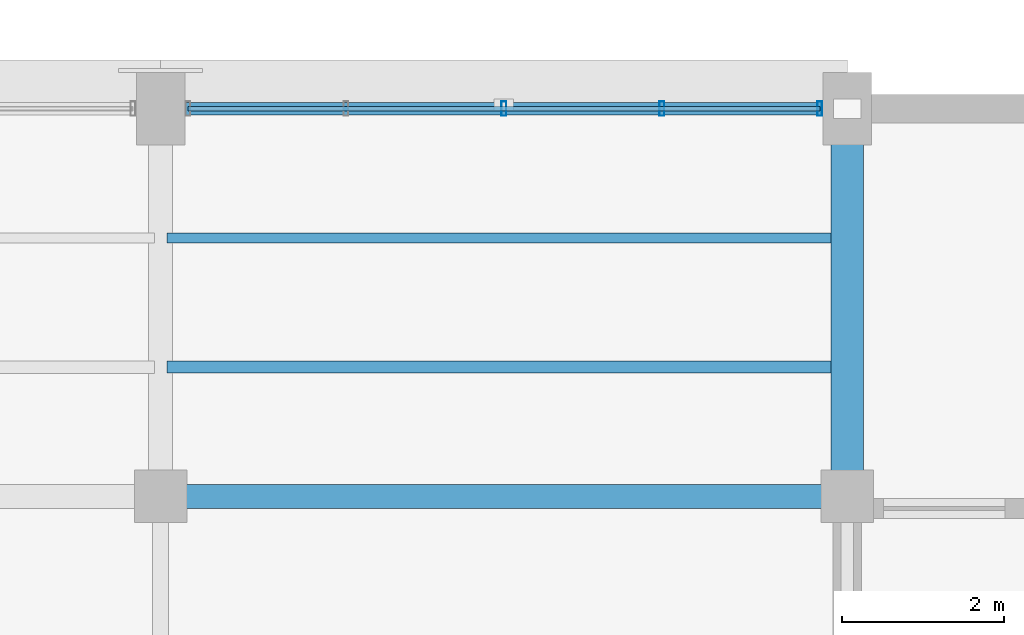
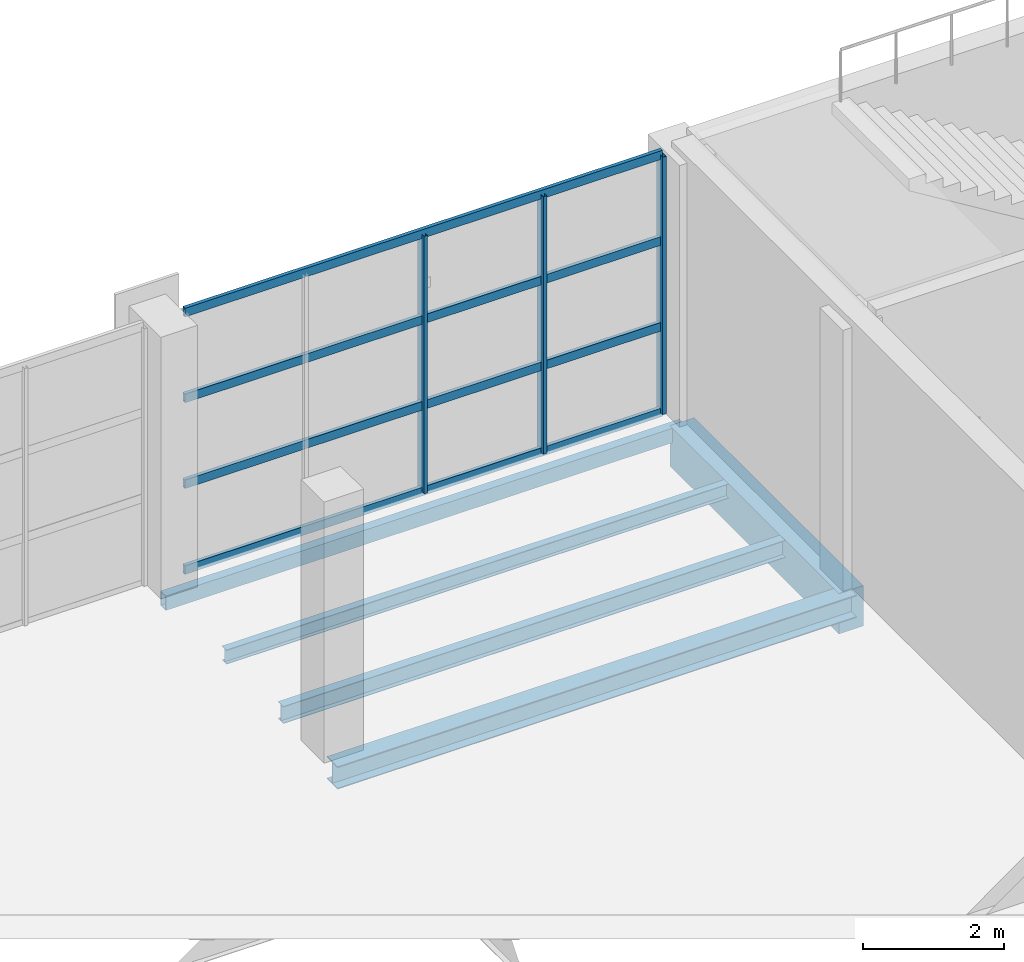
# One storey, part 41 of 86: 7 members, 5 beams, 1 element without a shape of its own.
"""IFC4 building model written with IfcOpenShell, lengths in metres."""

import ifcopenshell
import ifcopenshell.guid

model = None  # the IFC model being written
_history = None  # IfcOwnerHistory: only IFC2X3 demands one
_inside = {}  # id of a spatial element -> (the spatial element, [elements in it])
_under = {}  # id of a project, library or spatial element -> (it, [spatial elements below it])
_declared = {}  # id of a project -> (the project, [libraries it declares])
_typed = {}  # id of a type object -> (the type object, [elements of that type])
_made_of = {}  # id of a material, layer set ... -> (it, [elements and type objects made of it])


def new_model(schema):
    """Start an empty IFC model of exactly this schema.

    Asked for "IFC4X3", IfcOpenShell would pick the latest addendum, in which some entities
    have other attributes; the version numbers below select the first issue.
    IFC2X3 requires an IfcOwnerHistory on every rooted entity: one is made here for all.
    """
    global model, _history
    if schema == "IFC4X3":
        model = ifcopenshell.file(schema_version=(4, 3, 0, 0))
    else:
        model = ifcopenshell.file(schema=schema)
    _inside.clear()
    _under.clear()
    _declared.clear()
    _typed.clear()
    _made_of.clear()
    _history = None
    if model.schema == "IFC2X3":
        org = make("IfcOrganization", Name="unknown")
        user = make(
            "IfcPersonAndOrganization",
            ThePerson=make("IfcPerson", FamilyName="unknown"),
            TheOrganization=org,
        )
        app = make(
            "IfcApplication",
            ApplicationDeveloper=org,
            Version="unknown",
            ApplicationFullName="unknown",
            ApplicationIdentifier="unknown",
        )
        _history = make(
            "IfcOwnerHistory",
            OwningUser=user,
            OwningApplication=app,
            ChangeAction="ADDED",
            CreationDate=0,
        )
    return model


def make(cls, **values):
    """One entity of the class cls with the attributes given. An attribute that is None is left unset."""
    return model.create_entity(
        cls, **{name: value for name, value in values.items() if value is not None}
    )


def rooted(cls, **values):
    """An entity with a GlobalId (a new one), such as an element, a storey or a relation."""
    return make(cls, GlobalId=ifcopenshell.guid.new(), OwnerHistory=_history, **values)


def si_unit(unit_type, name, prefix=None):
    """IfcSIUnit, for example si_unit("LENGTHUNIT", "METRE", prefix="MILLI")."""
    return make("IfcSIUnit", UnitType=unit_type, Prefix=prefix, Name=name)


def assignment(units):
    """IfcUnitAssignment: the units of a project."""
    return None if units is None else make("IfcUnitAssignment", Units=units)


def point(xyz):
    """IfcCartesianPoint."""
    return None if xyz is None else make("IfcCartesianPoint", Coordinates=xyz)


def direction(xyz):
    """IfcDirection."""
    return None if xyz is None else make("IfcDirection", DirectionRatios=xyz)


def frame(location, z_axis=None, x_axis=None):
    """IfcAxis2Placement3D, a coordinate frame: its origin and axes. An axis left out is left unset."""
    return make(
        "IfcAxis2Placement3D",
        Location=point(location),
        Axis=direction(z_axis),
        RefDirection=direction(x_axis),
    )


def frame_2d(location, x_axis=None):
    """IfcAxis2Placement2D, a coordinate frame in the plane: its origin and x axis."""
    return make(
        "IfcAxis2Placement2D", Location=point(location), RefDirection=direction(x_axis)
    )


def origin():
    """The frame at (0, 0, 0) with its axes left unset."""
    return frame((0.0, 0.0, 0.0))


def origin_2d():
    """The frame at (0, 0) in the plane with its x axis left unset."""
    return frame_2d((0.0, 0.0))


def place(relative_to, where):
    """IfcLocalPlacement: puts the frame where relative to a parent placement (None: the world)."""
    return make(
        "IfcLocalPlacement", PlacementRelTo=relative_to, RelativePlacement=where
    )


def context(
    kind, dimensions, precision=None, world=None, true_north=None, identifier=None
):
    """IfcGeometricRepresentationContext, for example the 3D "Model" context."""
    return make(
        "IfcGeometricRepresentationContext",
        ContextIdentifier=identifier,
        ContextType=kind,
        CoordinateSpaceDimension=dimensions,
        Precision=precision,
        WorldCoordinateSystem=world,
        TrueNorth=true_north,
    )


def subcontext(parent, identifier, kind, view, scale=None):
    """IfcGeometricRepresentationSubContext, for example "Body" below "Model"."""
    return make(
        "IfcGeometricRepresentationSubContext",
        ContextIdentifier=identifier,
        ContextType=kind,
        ParentContext=parent,
        TargetScale=scale,
        TargetView=view,
    )


def project(units=None, contexts=None):
    """IfcProject with its units and contexts."""
    return rooted(
        "IfcProject",
        Name="project",
        RepresentationContexts=contexts,
        UnitsInContext=assignment(units),
    )


def spatial(cls, under=None, at=None, **own):
    """A site, building, storey or space (cls), placed at a placement, below another one or the project."""
    s = rooted(cls, ObjectPlacement=at, **own)
    if under is not None:
        _under.setdefault(under.id(), (under, []))[1].append(s)
    return s


def profile(cls, at=None, kind="AREA", **sizes):
    """A parametric profile (cls). Its sizes go by their IFC names, for example OverallWidth=200.0."""
    return make(cls, ProfileType=kind, Position=at, **sizes)


def rectangle(**sizes):
    """IfcRectangleProfileDef."""
    return profile("IfcRectangleProfileDef", **sizes)


def hollow_rectangle(**sizes):
    """IfcRectangleHollowProfileDef."""
    return profile("IfcRectangleHollowProfileDef", **sizes)


def i_section(**sizes):
    """IfcIShapeProfileDef."""
    return profile("IfcIShapeProfileDef", **sizes)


def extrude(swept, where, along, depth):
    """IfcExtrudedAreaSolid: the profile swept, set in the frame where, extruded along a direction by depth."""
    return make(
        "IfcExtrudedAreaSolid",
        SweptArea=swept,
        Position=where,
        ExtrudedDirection=direction(along),
        Depth=depth,
    )


def shape(context_of_items, identifier, shape_type, items):
    """IfcShapeRepresentation: the items that make up one representation, for example the "Body"."""
    return make(
        "IfcShapeRepresentation",
        ContextOfItems=context_of_items,
        RepresentationIdentifier=identifier,
        RepresentationType=shape_type,
        Items=items,
    )


def material(Name=None, Category=None):
    """IfcMaterial."""
    return make("IfcMaterial", Name=Name, Category=Category)


def material_profile(
    of_material, cross_section, Name=None, Category=None, Priority=None
):
    """IfcMaterialProfile: a cross section and its material."""
    return make(
        "IfcMaterialProfile",
        Name=Name,
        Material=of_material,
        Profile=cross_section,
        Priority=Priority,
        Category=Category,
    )


def profile_set(profiles, Name=None, composite=None):
    """IfcMaterialProfileSet."""
    return make(
        "IfcMaterialProfileSet",
        Name=Name,
        MaterialProfiles=profiles,
        CompositeProfile=composite,
    )


def made_of(thing, what):
    """Note that an element or type object is made of a material, layer set ...; save() writes the relation."""
    if what is not None:
        _made_of.setdefault(what.id(), (what, []))[1].append(thing)
    return thing


def type_object(cls, material=None, **own):
    """A type object (cls), such as IfcWallType, which elements share."""
    return made_of(rooted(cls, **own), material)


def element(
    cls,
    number,
    at=None,
    inside=None,
    cuts=None,
    type_object=None,
    material=None,
    context=None,
    identifier="Body",
    shape_type=None,
    held_by="IfcProductDefinitionShape",
    body=None,
    shapes=None,
    **own,
):
    """One element of the class cls, such as IfcWall. Its Tag is "e" and its number.

    at: its placement. inside: the storey or other place that contains it. cuts: it is an
    opening in that element (IfcRelVoidsElement). A single representation is given by context,
    identifier, shape_type and body (its items); several are given by shapes. held_by: the class
    of the entity that holds the representations. save() writes the other relations.
    """
    e = rooted(cls, Tag="e%d" % number, ObjectPlacement=at, **own)
    if body is not None:
        shapes = [shape(context, identifier, shape_type, body)]
    if shapes is not None:
        e.Representation = make(held_by, Representations=shapes)
    if inside is not None:
        _inside.setdefault(inside.id(), (inside, []))[1].append(e)
    if cuts is not None:
        rooted(
            "IfcRelVoidsElement", RelatingBuildingElement=cuts, RelatedOpeningElement=e
        )
    if type_object is not None:
        _typed.setdefault(type_object.id(), (type_object, []))[1].append(e)
    return made_of(e, material)


def aggregate(whole, parts):
    """IfcRelAggregates: a whole, such as a stair, and the parts it consists of."""
    return rooted("IfcRelAggregates", RelatingObject=whole, RelatedObjects=parts)


def save(model, path):
    """Write the relations noted so far, then the file.

    IfcRelAggregates (storeys below a building ...), IfcRelContainedInSpatialStructure (elements
    in a storey), IfcRelDefinesByType, IfcRelAssociatesMaterial and IfcRelDeclares: one each for
    every whole, place, type object, material and project.
    """
    for whole, parts in _under.values():
        aggregate(whole, parts)
    for where, things in _inside.values():
        rooted(
            "IfcRelContainedInSpatialStructure",
            RelatedElements=things,
            RelatingStructure=where,
        )
    for kind, things in _typed.values():
        rooted("IfcRelDefinesByType", RelatedObjects=things, RelatingType=kind)
    for what, things in _made_of.values():
        rooted("IfcRelAssociatesMaterial", RelatedObjects=things, RelatingMaterial=what)
    for by, libraries in _declared.values():
        rooted("IfcRelDeclares", RelatingContext=by, RelatedDefinitions=libraries)
    model.write(path)


model = new_model("IFC4")

# Units and contexts
model_context = context("Model", 3, precision=1e-05, world=origin(), true_north=direction((0.0, 1.0)))
body_context = subcontext(model_context, "Body", "Model", "MODEL_VIEW")
ifc_project = project(units=[si_unit("LENGTHUNIT", "METRE"), si_unit("AREAUNIT", "SQUARE_METRE"), si_unit("VOLUMEUNIT", "CUBIC_METRE"), si_unit("PLANEANGLEUNIT", "RADIAN"), si_unit("MASSUNIT", "GRAM", prefix="KILO")], contexts=[model_context])

# Site, building, storey
site_placement = place(None, origin())
site = spatial("IfcSite", under=ifc_project, at=site_placement, CompositionType="ELEMENT")
building_placement = place(site_placement, origin())
building = spatial("IfcBuilding", under=site, at=building_placement, Name="Solvikara Media Centre", CompositionType="ELEMENT")
storey_placement = place(building_placement, frame((0.0, 0.0, 15.0)))
storey = spatial("IfcBuildingStorey", under=building, at=storey_placement, Name="L03", CompositionType="ELEMENT", Elevation=15.0)

# Beams
ifc_material_1 = material(Name="Concrete fc' 35 MPa (C35/45)", Category="concrete")
ifc_material_profile_1 = material_profile(ifc_material_1, rectangle(XDim=0.39990234375, YDim=0.699951171875, at=origin_2d()), Name="RC 400x700")
ifc_profile_set_1 = profile_set([ifc_material_profile_1], Name="Concrete fc' 35 MPa (C35/45)")
beam_type_1 = type_object("IfcBeamType", Name="BM-13", PredefinedType="SPANDREL", material=ifc_profile_set_1)
beam_1_placement = place(storey_placement, frame((68.0, 32.0, -0.6298828125), z_axis=(0.0, 1.0, 0.0), x_axis=(-1.0, 0.0, 0.0)))
element("IfcBeam", 1, at=beam_1_placement, inside=storey, type_object=beam_type_1, Name="B-L03-Y1279", PredefinedType="SPANDREL", context=body_context, shape_type="SweptSolid", body=[
    extrude(rectangle(XDim=0.39990234375, YDim=0.699951171875, at=origin_2d()), origin(), (0.0, 0.0, 1.0), 4.800048828125),
])
ifc_material_2 = material(Name="Steel S355JR", Category="steel")
ifc_material_profile_2 = material_profile(ifc_material_2, i_section(OverallWidth=0.300048828125, OverallDepth=0.389892578125, WebThickness=0.010009765625, FlangeThickness=0.01611328125, at=origin_2d()), Name="H 390x300x10x16")
ifc_profile_set_2 = profile_set([ifc_material_profile_2], Name="Steel S355JR")
beam_type_2 = type_object("IfcBeamType", Name="BM-29", PredefinedType="BEAM", material=ifc_profile_set_2)
beam_2_placement = place(storey_placement, frame((59.5, 32.0, -0.47705078125), z_axis=(1.0, 0.0, 0.0), x_axis=(0.0, 1.0, 0.0)))
element("IfcBeam", 2, at=beam_2_placement, inside=storey, type_object=beam_type_2, Name="B-L03-X1185", PredefinedType="BEAM", context=body_context, shape_type="SweptSolid", body=[
    extrude(i_section(OverallWidth=0.300048828125, OverallDepth=0.389892578125, WebThickness=0.010009765625, FlangeThickness=0.01611328125, at=origin_2d()), origin(), (0.0, 0.0, 1.0), 8.5),
])
ifc_material_profile_3 = material_profile(ifc_material_2, hollow_rectangle(XDim=0.14990234375, YDim=0.25, WallThickness=0.008056640625, at=origin_2d()), Name="RHS 250x150x8")
ifc_profile_set_3 = profile_set([ifc_material_profile_3], Name="Steel S355JR")
beam_type_3 = type_object("IfcBeamType", Name="BM-36", PredefinedType="JOIST", material=ifc_profile_set_3)
beam_3_placement = place(storey_placement, frame((59.5, 36.800048828125, -0.406982421875), z_axis=(1.0, 0.0, 0.0), x_axis=(0.0, 1.0, 0.0)))
element("IfcBeam", 3, at=beam_3_placement, inside=storey, type_object=beam_type_3, Name="B-L03-X1188", PredefinedType="JOIST", context=body_context, shape_type="SweptSolid", body=[
    extrude(hollow_rectangle(XDim=0.14990234375, YDim=0.25, WallThickness=0.008056640625, at=origin_2d()), origin(), (0.0, 0.0, 1.0), 8.5),
])
ifc_material_profile_4 = material_profile(ifc_material_2, i_section(OverallWidth=0.14892578125, OverallDepth=0.298095703125, WebThickness=0.005615234375, FlangeThickness=0.008056640625, at=origin_2d()), Name="WF 298x149x5.5x8")
ifc_profile_set_4 = profile_set([ifc_material_profile_4], Name="Steel S355JR")
beam_type_4 = type_object("IfcBeamType", Name="BM-39", PredefinedType="JOIST", material=ifc_profile_set_4)
beam_4_placement = place(storey_placement, frame((59.577880859375, 33.60009765625, -0.430908203125), z_axis=(1.0, 0.0, 0.0), x_axis=(0.0, 1.0, 0.0)))
element("IfcBeam", 4, at=beam_4_placement, inside=storey, type_object=beam_type_4, Name="J-L03-1399", PredefinedType="JOIST", context=body_context, shape_type="SweptSolid", body=[
    extrude(i_section(OverallWidth=0.14892578125, OverallDepth=0.298095703125, WebThickness=0.005615234375, FlangeThickness=0.008056640625, at=origin_2d()), origin(), (0.0, 0.0, 1.0), 8.34423828125),
])
ifc_material_profile_5 = material_profile(ifc_material_2, i_section(OverallWidth=0.1240234375, OverallDepth=0.248046875, WebThickness=0.0048828125, FlangeThickness=0.008056640625, at=origin_2d()), Name="WF 248x124x5x8")
ifc_profile_set_5 = profile_set([ifc_material_profile_5], Name="Steel S355JR")
beam_type_5 = type_object("IfcBeamType", Name="BM-40", PredefinedType="JOIST", material=ifc_profile_set_5)
beam_5_placement = place(storey_placement, frame((59.577880859375, 35.199951171875, -0.406005859375), z_axis=(1.0, 0.0, 0.0), x_axis=(0.0, 1.0, 0.0)))
element("IfcBeam", 5, at=beam_5_placement, inside=storey, type_object=beam_type_5, Name="J-L03-1400", PredefinedType="JOIST", context=body_context, shape_type="SweptSolid", body=[
    extrude(i_section(OverallWidth=0.1240234375, OverallDepth=0.248046875, WebThickness=0.0048828125, FlangeThickness=0.008056640625, at=origin_2d()), origin(), (0.0, 0.0, 1.0), 8.34423828125),
])

# Curtain wall, members
ifc_material_3 = material(Name="Anodised aluminium EN AW-6063", Category="aluminium")
curtain_wall_type = type_object("IfcCurtainWallType", Name="CW-05", PredefinedType="NOTDEFINED", material=ifc_material_3)
curtain_wall_placement = place(storey_placement, origin())
curtain_wall = element("IfcCurtainWall", 6, at=curtain_wall_placement, inside=storey, type_object=curtain_wall_type, Name="CW-L03-V6N-3", PredefinedType="NOTDEFINED")
ifc_material_profile_6 = material_profile(ifc_material_3, hollow_rectangle(XDim=0.06005859375, YDim=0.179931640625, WallThickness=0.00341796875, at=origin_2d()), Name="ALU-M 60x180x3.5")
ifc_profile_set_6 = profile_set([ifc_material_profile_6], Name="Anodised aluminium EN AW-6063")
member_type_1 = type_object("IfcMemberType", Name="MF-03", PredefinedType="MULLION", material=ifc_profile_set_6)
member_1_placement = place(storey_placement, frame((63.75, 36.800048828125, 0.02001953125), z_axis=(0.0, 0.0, 1.0), x_axis=(1.0, 0.0, 0.0)))
member_1 = element("IfcMember", 7, at=member_1_placement, type_object=member_type_1, Name="CW-L03-V6N-3-M02", PredefinedType="MULLION", context=body_context, shape_type="SweptSolid", body=[
    extrude(hollow_rectangle(XDim=0.06005859375, YDim=0.179931640625, WallThickness=0.00341796875, at=origin_2d()), origin(), (0.0, 0.0, 1.0), 4.4599609375),
])
member_2_placement = place(storey_placement, frame((65.705078125, 36.800048828125, 0.02001953125), z_axis=(0.0, 0.0, 1.0), x_axis=(1.0, 0.0, 0.0)))
member_2 = element("IfcMember", 8, at=member_2_placement, type_object=member_type_1, Name="CW-L03-V6N-3-M03", PredefinedType="MULLION", context=body_context, shape_type="SweptSolid", body=[
    extrude(hollow_rectangle(XDim=0.06005859375, YDim=0.179931640625, WallThickness=0.00341796875, at=origin_2d()), origin(), (0.0, 0.0, 1.0), 4.4599609375),
])
member_3_placement = place(storey_placement, frame((67.659912109375, 36.800048828125, 0.02001953125), z_axis=(0.0, 0.0, 1.0), x_axis=(1.0, 0.0, 0.0)))
member_3 = element("IfcMember", 9, at=member_3_placement, type_object=member_type_1, Name="CW-L03-V6N-3-M04", PredefinedType="MULLION", context=body_context, shape_type="SweptSolid", body=[
    extrude(hollow_rectangle(XDim=0.06005859375, YDim=0.179931640625, WallThickness=0.00341796875, at=origin_2d()), origin(), (0.0, 0.0, 1.0), 4.4599609375),
])
ifc_material_profile_7 = material_profile(ifc_material_3, hollow_rectangle(XDim=0.06005859375, YDim=0.14990234375, WallThickness=0.0029296875, at=origin_2d()), Name="ALU-T 60x150x3")
ifc_profile_set_7 = profile_set([ifc_material_profile_7], Name="Anodised aluminium EN AW-6063")
member_type_2 = type_object("IfcMemberType", Name="MF-09", PredefinedType="USERDEFINED", material=ifc_profile_set_7)
member_4_placement = place(storey_placement, frame((59.840087890625, 36.800048828125, 0.02001953125), z_axis=(1.0, 0.0, 0.0), x_axis=(0.0, 1.0, 0.0)))
member_4 = element("IfcMember", 10, at=member_4_placement, type_object=member_type_2, Name="CW-L03-V6N-3-T00", ObjectType="TRANSOM", PredefinedType="USERDEFINED", context=body_context, shape_type="SweptSolid", body=[
    extrude(hollow_rectangle(XDim=0.06005859375, YDim=0.14990234375, WallThickness=0.0029296875, at=origin_2d()), origin(), (0.0, 0.0, 1.0), 7.81982421875),
])
member_5_placement = place(storey_placement, frame((59.840087890625, 36.800048828125, 1.507080078125), z_axis=(1.0, 0.0, 0.0), x_axis=(0.0, 1.0, 0.0)))
member_5 = element("IfcMember", 11, at=member_5_placement, type_object=member_type_2, Name="CW-L03-V6N-3-T01", ObjectType="TRANSOM", PredefinedType="USERDEFINED", context=body_context, shape_type="SweptSolid", body=[
    extrude(hollow_rectangle(XDim=0.06005859375, YDim=0.14990234375, WallThickness=0.0029296875, at=origin_2d()), origin(), (0.0, 0.0, 1.0), 7.81982421875),
])
member_6_placement = place(storey_placement, frame((59.840087890625, 36.800048828125, 2.992919921875), z_axis=(1.0, 0.0, 0.0), x_axis=(0.0, 1.0, 0.0)))
member_6 = element("IfcMember", 12, at=member_6_placement, type_object=member_type_2, Name="CW-L03-V6N-3-T02", ObjectType="TRANSOM", PredefinedType="USERDEFINED", context=body_context, shape_type="SweptSolid", body=[
    extrude(hollow_rectangle(XDim=0.06005859375, YDim=0.14990234375, WallThickness=0.0029296875, at=origin_2d()), origin(), (0.0, 0.0, 1.0), 7.81982421875),
])
member_7_placement = place(storey_placement, frame((59.840087890625, 36.800048828125, 4.47998046875), z_axis=(1.0, 0.0, 0.0), x_axis=(0.0, 1.0, 0.0)))
member_7 = element("IfcMember", 13, at=member_7_placement, type_object=member_type_2, Name="CW-L03-V6N-3-T03", ObjectType="TRANSOM", PredefinedType="USERDEFINED", context=body_context, shape_type="SweptSolid", body=[
    extrude(hollow_rectangle(XDim=0.06005859375, YDim=0.14990234375, WallThickness=0.0029296875, at=origin_2d()), origin(), (0.0, 0.0, 1.0), 7.81982421875),
])
aggregate(curtain_wall, [member_1, member_2, member_3, member_4, member_5, member_6, member_7])

save(model, "model.ifc")
